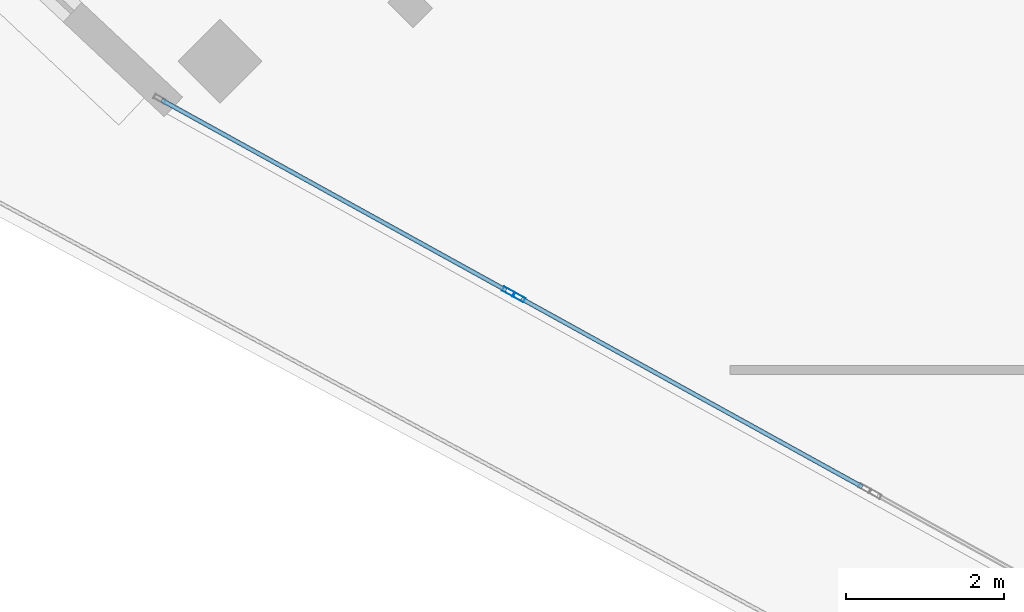
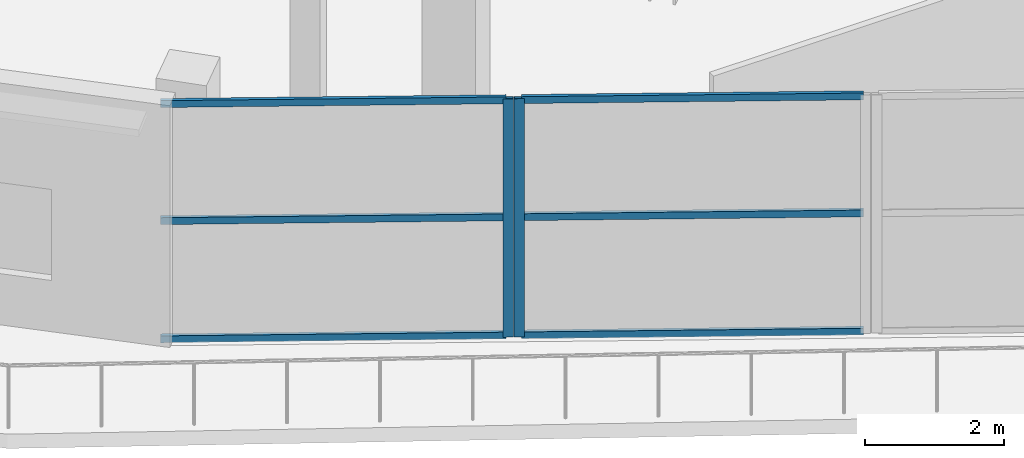
# One storey, part 18 of 107: 8 members, 2 elements without a shape of their own.
"""IFC4 building model written with IfcOpenShell, lengths in metres."""

from ifc_helpers import new_model, si_unit, direction, frame, origin, origin_2d, place, context, subcontext, project, spatial, hollow_rectangle, extrude, material, layer, layer_set, material_profile, profile_set, type_object, element, aggregate, save


model = new_model("IFC4")

# Units and contexts
model_context = context("Model", 3, precision=1e-05, world=origin(), true_north=direction((0.0, 1.0)))
body_context = subcontext(model_context, "Body", "Model", "MODEL_VIEW")
ifc_project = project(units=[si_unit("LENGTHUNIT", "METRE"), si_unit("AREAUNIT", "SQUARE_METRE"), si_unit("VOLUMEUNIT", "CUBIC_METRE"), si_unit("PLANEANGLEUNIT", "RADIAN"), si_unit("MASSUNIT", "GRAM", prefix="KILO")], contexts=[model_context])

# Site, building, storey
site_placement = place(None, origin())
site = spatial("IfcSite", under=ifc_project, at=site_placement, CompositionType="ELEMENT")
building_placement = place(site_placement, origin())
building = spatial("IfcBuilding", under=site, at=building_placement, Name="Kalgoora Escarpment Arena", CompositionType="ELEMENT")
storey_placement = place(building_placement, frame((0.0, 0.0, 5.39990234375)))
storey = spatial("IfcBuildingStorey", under=building, at=storey_placement, Name="L01", CompositionType="ELEMENT", Elevation=5.39990234375)

# Curtain wall, member
ifc_material_1 = material(Name=" Champagne anodised aluminium & double-glazed low-E", Category="aluminium")
ifc_layer_1 = layer(ifc_material_1, 0.154052734375)
ifc_layer_set_1 = layer_set([ifc_layer_1], Name="CW-UNIT-16")
curtain_wall_type_1 = type_object("IfcCurtainWallType", Name="CW-UNIT-16", PredefinedType="NOTDEFINED", material=ifc_layer_set_1)
curtain_wall_1_placement = place(storey_placement, origin())
curtain_wall_1 = element("IfcCurtainWall", 1, at=curtain_wall_1_placement, inside=storey, type_object=curtain_wall_type_1, Name="L01 unitised facade curtain wall 015", PredefinedType="NOTDEFINED")
ifc_material_2 = material(Name="Anodised aluminium 6063-T6", Category="aluminium")
ifc_material_profile_1 = material_profile(ifc_material_2, hollow_rectangle(XDim=0.06005859375, YDim=0.14990234375, WallThickness=0.00341796875, at=origin_2d()))
ifc_profile_set_1 = profile_set([ifc_material_profile_1], Name="Anodised aluminium 6063-T6")
member_type_1 = type_object("IfcMemberType", Name="MEM-CW-MULL-150", PredefinedType="MULLION", material=ifc_profile_set_1)
member_1_placement = place(storey_placement, frame((35.51416015625, 17.314453125, 0.02001953125), z_axis=(0.0, 0.0, 1.0), x_axis=(-0.483332479669, -0.875436870424, 0.0)))
member_1 = element("IfcMember", 2, at=member_1_placement, type_object=member_type_1, Name="CW-16 mullion 2", PredefinedType="MULLION", context=body_context, shape_type="SweptSolid", body=[
    extrude(hollow_rectangle(XDim=0.06005859375, YDim=0.14990234375, WallThickness=0.00341796875, at=origin_2d()), origin(), (0.0, 0.0, 1.0), 4.190185546875),
])

ifc_material_3 = material(Name=" Champagne anodised aluminium & double-glazed low-E", Category="aluminium")
ifc_layer_2 = layer(ifc_material_3, 0.157958984375)
ifc_layer_set_2 = layer_set([ifc_layer_2], Name="CW-UNIT-17")
curtain_wall_type_2 = type_object("IfcCurtainWallType", Name="CW-UNIT-17", PredefinedType="NOTDEFINED", material=ifc_layer_set_2)
curtain_wall_2_placement = place(storey_placement, origin())
curtain_wall_2 = element("IfcCurtainWall", 3, at=curtain_wall_2_placement, inside=storey, type_object=curtain_wall_type_2, Name="L01 unitised facade curtain wall 016", PredefinedType="NOTDEFINED")
member_2_placement = place(storey_placement, frame((35.374267578125, 17.3916015625, 0.02001953125), z_axis=(0.0, 0.0, 1.0), x_axis=(-0.483358505238, -0.87542250109, 0.0)))
member_2 = element("IfcMember", 4, at=member_2_placement, type_object=member_type_1, Name="CW-17 mullion 1", PredefinedType="MULLION", context=body_context, shape_type="SweptSolid", body=[
    extrude(hollow_rectangle(XDim=0.06005859375, YDim=0.14990234375, WallThickness=0.00341796875, at=origin_2d()), origin(), (0.0, 0.0, 1.0), 4.190185546875),
])

# Member
ifc_material_4 = material(Name="Anodised aluminium 6063-T6", Category="aluminium")
ifc_material_profile_2 = material_profile(ifc_material_4, hollow_rectangle(XDim=0.054931640625, YDim=0.1201171875, WallThickness=0.003173828125, at=origin_2d()))
ifc_profile_set_2 = profile_set([ifc_material_profile_2], Name="Anodised aluminium 6063-T6")
member_type_2 = type_object("IfcMemberType", Name="MEM-CW-TRAN-120", PredefinedType="USERDEFINED", material=ifc_profile_set_2)
member_3_placement = place(storey_placement, frame((39.8525390625, 14.919189453125, 0.047607421875), z_axis=(-0.875442460326, 0.483322354809, 0.0), x_axis=(-0.483322354809, -0.875442460326, 0.0)))
member_3 = element("IfcMember", 5, at=member_3_placement, type_object=member_type_2, Name="CW-16 transom 1.1", ObjectType="TRANSOM", PredefinedType="USERDEFINED", context=body_context, shape_type="SweptSolid", body=[
    extrude(hollow_rectangle(XDim=0.054931640625, YDim=0.1201171875, WallThickness=0.003173828125, at=origin_2d()), origin(), (0.0, 0.0, 1.0), 4.925537109375),
])

member_4_placement = place(storey_placement, frame((39.8525390625, 14.919189453125, 2.125), z_axis=(-0.875442460326, 0.483322354809, 0.0), x_axis=(-0.483322354809, -0.875442460326, 0.0)))
member_4 = element("IfcMember", 6, at=member_4_placement, type_object=member_type_2, Name="CW-16 transom 1.2", ObjectType="TRANSOM", PredefinedType="USERDEFINED", context=body_context, shape_type="SweptSolid", body=[
    extrude(hollow_rectangle(XDim=0.054931640625, YDim=0.1201171875, WallThickness=0.003173828125, at=origin_2d()), origin(), (0.0, 0.0, 1.0), 4.925537109375),
])

member_5_placement = place(storey_placement, frame((39.8525390625, 14.919189453125, 4.1826171875), z_axis=(-0.875442460326, 0.483322354809, 0.0), x_axis=(-0.483322354809, -0.875442460326, 0.0)))
member_5 = element("IfcMember", 7, at=member_5_placement, type_object=member_type_2, Name="CW-16 transom 1.3", ObjectType="TRANSOM", PredefinedType="USERDEFINED", context=body_context, shape_type="SweptSolid", body=[
    extrude(hollow_rectangle(XDim=0.054931640625, YDim=0.1201171875, WallThickness=0.003173828125, at=origin_2d()), origin(), (0.0, 0.0, 1.0), 4.925537109375),
])

aggregate(curtain_wall_1, [member_1, member_3, member_4, member_5])

member_6_placement = place(storey_placement, frame((35.347900390625, 17.40625, 0.047607421875), z_axis=(-0.875418042995, 0.483366579314, 0.0), x_axis=(-0.483366579314, -0.875418042995, 0.0)))
member_6 = element("IfcMember", 8, at=member_6_placement, type_object=member_type_2, Name="CW-17 transom 1.1", ObjectType="TRANSOM", PredefinedType="USERDEFINED", context=body_context, shape_type="SweptSolid", body=[
    extrude(hollow_rectangle(XDim=0.054931640625, YDim=0.1201171875, WallThickness=0.003173828125, at=origin_2d()), origin(), (0.0, 0.0, 1.0), 4.9755859375),
])

member_7_placement = place(storey_placement, frame((35.347900390625, 17.40625, 2.125), z_axis=(-0.875418042995, 0.483366579314, 0.0), x_axis=(-0.483366579314, -0.875418042995, 0.0)))
member_7 = element("IfcMember", 9, at=member_7_placement, type_object=member_type_2, Name="CW-17 transom 1.2", ObjectType="TRANSOM", PredefinedType="USERDEFINED", context=body_context, shape_type="SweptSolid", body=[
    extrude(hollow_rectangle(XDim=0.054931640625, YDim=0.1201171875, WallThickness=0.003173828125, at=origin_2d()), origin(), (0.0, 0.0, 1.0), 4.9755859375),
])

member_8_placement = place(storey_placement, frame((35.347900390625, 17.40625, 4.1826171875), z_axis=(-0.875418042995, 0.483366579314, 0.0), x_axis=(-0.483366579314, -0.875418042995, 0.0)))
member_8 = element("IfcMember", 10, at=member_8_placement, type_object=member_type_2, Name="CW-17 transom 1.3", ObjectType="TRANSOM", PredefinedType="USERDEFINED", context=body_context, shape_type="SweptSolid", body=[
    extrude(hollow_rectangle(XDim=0.054931640625, YDim=0.1201171875, WallThickness=0.003173828125, at=origin_2d()), origin(), (0.0, 0.0, 1.0), 4.9755859375),
])

aggregate(curtain_wall_2, [member_2, member_6, member_7, member_8])

save(model, "model.ifc")
